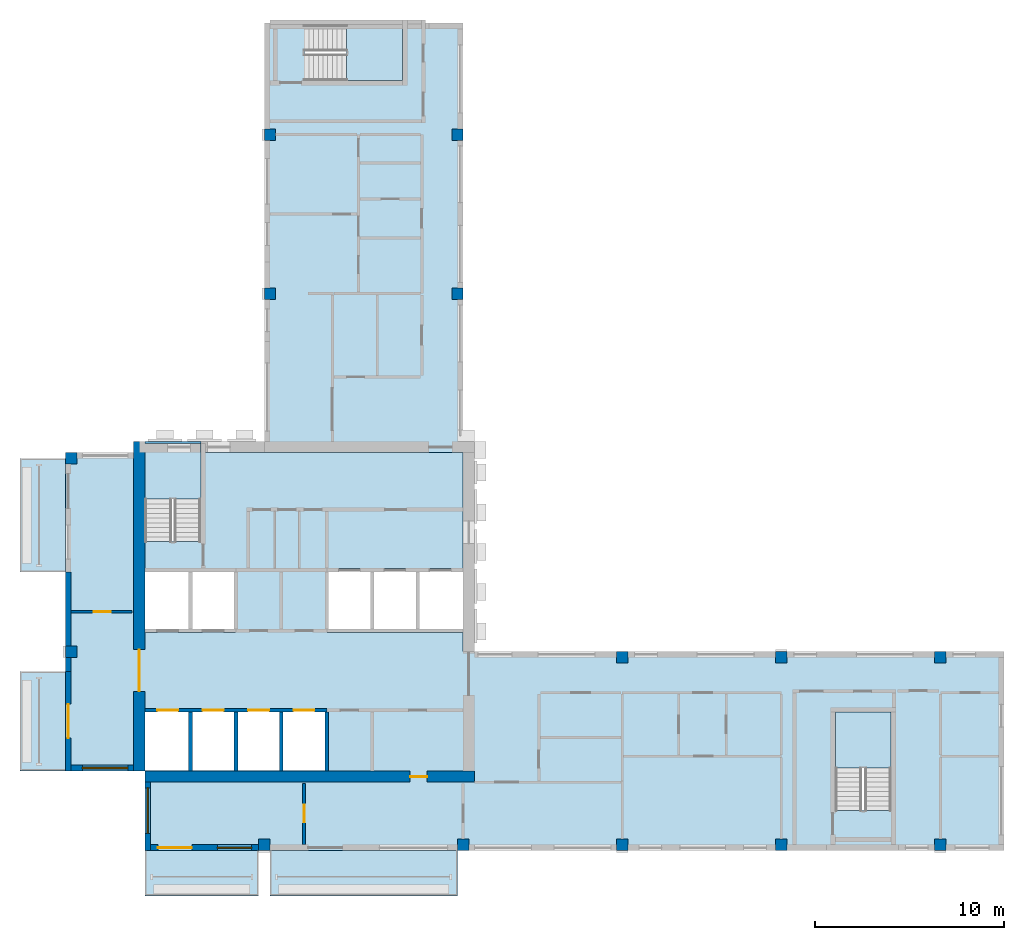
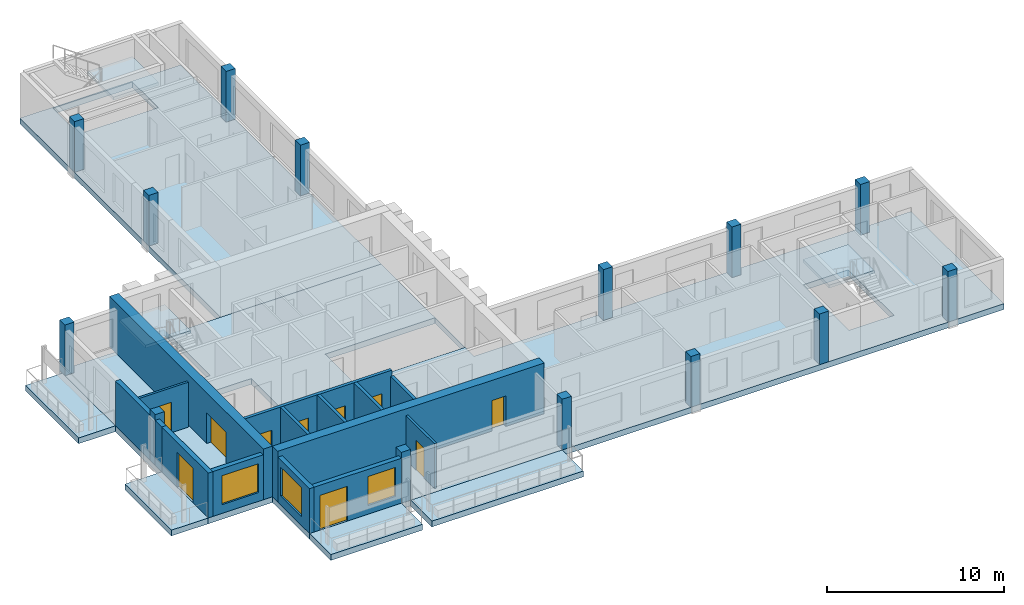
# One storey, part 1 of 10: 15 walls, 14 columns, 10 doors, 10 slabs, 3 windows, 13 openings, 3 elements without a shape of their own.
"""IFC4 building model written with IfcOpenShell, lengths in metres."""

from ifc_helpers import new_model, si_unit, direction, frame, frame_2d, origin, origin_2d, place, context, subcontext, project, spatial, polyline, rectangle, outline, extrude, source, transform, mapped, material, layer, layer_set, material_profile, profile_set, type_object, element, fill, aggregate, save


model = new_model("IFC4")

# Units and contexts
model_context = context("Model", 3, precision=1e-05, world=origin(), true_north=direction((0.0, 1.0)))
body_context = subcontext(model_context, "Body", "Model", "MODEL_VIEW")
ifc_project = project(units=[si_unit("LENGTHUNIT", "METRE"), si_unit("AREAUNIT", "SQUARE_METRE"), si_unit("VOLUMEUNIT", "CUBIC_METRE"), si_unit("PLANEANGLEUNIT", "RADIAN"), si_unit("MASSUNIT", "GRAM", prefix="KILO")], contexts=[model_context])

# Site, building, storey
site_placement = place(None, origin())
site = spatial("IfcSite", under=ifc_project, at=site_placement, CompositionType="ELEMENT")
building_placement = place(site_placement, origin())
building = spatial("IfcBuilding", under=site, at=building_placement, Name="Aurelian Terraces", CompositionType="ELEMENT")
storey_placement = place(building_placement, frame((0.0, 0.0, 361.5)))
storey = spatial("IfcBuildingStorey", under=building, at=storey_placement, Name="L86", CompositionType="ELEMENT", Elevation=361.5)

# Columns
ifc_material_1 = material(Name="Concrete fc' 55 MPa", Category="concrete")
ifc_material_profile = material_profile(ifc_material_1, rectangle(XDim=0.6, YDim=0.6, at=origin_2d()))
ifc_profile_set = profile_set([ifc_material_profile], Name="Concrete fc' 55 MPa")
column_type = type_object("IfcColumnType", Name="RC COLUMN 600X600 FC55", PredefinedType="COLUMN", material=ifc_profile_set)
shared_shape_1 = source(origin(), body_context, "Body", "SweptSolid", [
    extrude(rectangle(XDim=0.6, YDim=0.6, at=origin_2d()), origin(), (0.0, 0.0, 1.0), 3.5),
])
for number, where, z_axis, x_axis, name in (
    (1, (10.5, 0.3, 0.0), (0.0, 0.0, 1.0), (1.0, 0.0, 0.0), "Column 2/A L86"),
    (2, (21.0, 0.3, 0.0), (0.0, 0.0, 1.0), (1.0, 0.0, 0.0), "Column 3/A L86"),
    (3, (29.4, 0.3, 0.0), (0.0, 0.0, 1.0), (1.0, 0.0, 0.0), "Column 4/A L86"),
    (4, (37.8, 0.3, 0.0), (0.0, 0.0, 1.0), (1.0, 0.0, 0.0), "Column 5/A L86"),
    (5, (46.2, 0.3, 0.0), (0.0, 0.0, 1.0), (1.0, 0.0, 0.0), "Column 6/A L86"),
    (6, (0.3, 10.5, 0.0), (0.0, 0.0, 1.0), (1.0, 0.0, 0.0), "Column 1/B L86"),
    (7, (29.4, 10.2, 0.0), (0.0, 0.0, 1.0), (1.0, 0.0, 0.0), "Column 4/B L86"),
    (8, (37.8, 10.2, 0.0), (0.0, 0.0, 1.0), (1.0, 0.0, 0.0), "Column 5/B L86"),
    (9, (46.2, 10.2, 0.0), (0.0, 0.0, 1.0), (1.0, 0.0, 0.0), "Column 6/B L86"),
    (10, (0.3, 20.7, 0.0), (0.0, 0.0, 1.0), (1.0, 0.0, 0.0), "Column 1/C L86"),
    (11, (10.8, 29.4, 0.0), (0.0, 0.0, 1.0), (1.0, 0.0, 0.0), "Column 2/D L86"),
    (12, (20.7, 29.4, 0.0), (0.0, 0.0, 1.0), (1.0, 0.0, 0.0), "Column 3/D L86"),
    (13, (10.8, 37.8, 0.0), (0.0, 0.0, 1.0), (1.0, 0.0, 0.0), "Column 2/E L86"),
    (14, (20.7, 37.8, 0.0), (0.0, 0.0, 1.0), (1.0, 0.0, 0.0), "Column 3/E L86"),
):
    element("IfcColumn", number, at=place(storey_placement, frame(where, z_axis=z_axis, x_axis=x_axis)), inside=storey, type_object=column_type, Name=name, PredefinedType="COLUMN", context=body_context, shape_type="MappedRepresentation", body=[
        mapped(shared_shape_1, transform((0.0, 0.0, 0.0), scale=1.0)),
    ])

# Slabs
ifc_material_2 = material(Name="Concrete fc' 40 MPa", Category="concrete")
ifc_layer_1 = layer(ifc_material_2, 0.4)
ifc_layer_set_1 = layer_set([ifc_layer_1], Name="PT FLAT PLATE 400")
slab_type_1 = type_object("IfcSlabType", Name="PT FLAT PLATE 400", PredefinedType="FLOOR", material=ifc_layer_set_1)
shared_shape_2 = source(origin(), body_context, "Body", "SweptSolid", [
    extrude(outline(polyline([(10.5, 43.68), (14.7, 43.68), (16.8, 43.68), (21.0, 43.68), (21.0, 21.0), (10.5, 21.0), (10.5, 43.68)]), holes=[polyline([(17.79, 43.59), (12.61, 43.59), (12.61, 40.66), (17.79, 40.66), (17.79, 43.59)])]), origin(), (0.0, 0.0, 1.0), 0.4),
])
slab_1_placement = place(storey_placement, frame((0.0, 0.0, -0.4)))
element("IfcSlab", 15, at=slab_1_placement, inside=storey, type_object=slab_type_1, Name="Floor slab W L86", PredefinedType="FLOOR", context=body_context, shape_type="MappedRepresentation", body=[
    mapped(shared_shape_2, transform((0.0, 0.0, 0.0), scale=1.0)),
])
shared_shape_3 = source(origin(), body_context, "Body", "SweptSolid", [
    extrude(outline(polyline([(4.2, 21.0), (4.2, 21.6), (7.15, 21.6), (7.15, 21.0), (7.14, 21.0), (7.14, 21.49), (4.21, 21.49), (4.21, 21.0), (4.2, 21.0)])), origin(), (0.0, 0.0, 1.0), 0.4),
])
slab_2_placement = place(storey_placement, frame((0.0, 0.0, -0.4)))
element("IfcSlab", 16, at=slab_2_placement, inside=storey, type_object=slab_type_1, Name="Floor slab W2 L86", PredefinedType="FLOOR", context=body_context, shape_type="MappedRepresentation", body=[
    mapped(shared_shape_3, transform((0.0, 0.0, 0.0), scale=1.0)),
])
shared_shape_4 = source(origin(), body_context, "Body", "SweptSolid", [
    extrude(outline(polyline([(21.0, 0.0), (4.2, 0.0), (4.2, 4.2), (0.0, 4.2), (0.0, 10.5), (0.0, 21.0), (4.21, 21.0), (4.21, 16.31), (7.14, 16.31), (7.14, 21.0), (21.0, 21.0), (21.0, 10.5), (49.56, 10.5), (49.56, 6.3), (49.56, 4.2), (49.56, 0.0), (21.0, 0.0)]), holes=[polyline([(40.66, 2.11), (43.59, 2.11), (43.59, 7.29), (40.66, 7.29), (40.66, 2.11)]), polyline([(13.81, 14.89), (13.81, 11.51), (20.99, 11.51), (20.99, 14.89), (13.81, 14.89)]), polyline([(4.21, 7.49), (4.21, 4.21), (13.79, 4.21), (13.79, 7.49), (4.21, 7.49)]), polyline([(8.99, 11.51), (8.99, 14.89), (4.21, 14.89), (4.21, 11.51), (8.99, 11.51)])]), origin(), (0.0, 0.0, 1.0), 0.4),
])
slab_3_placement = place(storey_placement, frame((0.0, 0.0, -0.4)))
element("IfcSlab", 17, at=slab_3_placement, inside=storey, type_object=slab_type_1, Name="Floor slab S L86", PredefinedType="FLOOR", context=body_context, shape_type="MappedRepresentation", body=[
    mapped(shared_shape_4, transform((0.0, 0.0, 0.0), scale=1.0)),
])
ifc_layer_2 = layer(ifc_material_2, 0.4)
ifc_layer_set_2 = layer_set([ifc_layer_2], Name="Balcony slab 400")
slab_type_2 = type_object("IfcSlabType", Name="Balcony slab 400", PredefinedType="NOTDEFINED", material=ifc_layer_set_2)
shared_shape_5 = source(origin(), body_context, "Body", "SweptSolid", [
    extrude(outline(polyline([(0.0, 9.45), (0.0, 4.2), (-2.4, 4.2), (-2.4, 9.45), (0.0, 9.45)])), origin(), (0.0, 0.0, 1.0), 0.4),
])
slab_4_placement = place(storey_placement, frame((0.0, 0.0, -0.4)))
element("IfcSlab", 18, at=slab_4_placement, inside=storey, type_object=slab_type_2, Name="Balcony slab L86 F12.24", PredefinedType="NOTDEFINED", context=body_context, shape_type="MappedRepresentation", body=[
    mapped(shared_shape_5, transform((0.0, 0.0, 0.0), scale=1.0)),
])
shared_shape_6 = source(origin(), body_context, "Body", "SweptSolid", [
    extrude(outline(polyline([(4.2, 0.0), (10.2, 0.0), (10.2, -2.4), (4.2, -2.4), (4.2, 0.0)])), origin(), (0.0, 0.0, 1.0), 0.4),
])
slab_5_placement = place(storey_placement, frame((0.0, 0.0, -0.4)))
element("IfcSlab", 19, at=slab_5_placement, inside=storey, type_object=slab_type_2, Name="Balcony slab L86 F01.1", PredefinedType="NOTDEFINED", context=body_context, shape_type="MappedRepresentation", body=[
    mapped(shared_shape_6, transform((0.0, 0.0, 0.0), scale=1.0)),
])
shared_shape_7 = source(origin(), body_context, "Body", "SweptSolid", [
    extrude(outline(polyline([(10.8, 0.0), (20.7, 0.0), (20.7, -2.4), (10.8, -2.4), (10.8, 0.0)])), origin(), (0.0, 0.0, 1.0), 0.4),
])
slab_6_placement = place(storey_placement, frame((0.0, 0.0, -0.4)))
element("IfcSlab", 20, at=slab_6_placement, inside=storey, type_object=slab_type_2, Name="Balcony slab L86 F01.2", PredefinedType="NOTDEFINED", context=body_context, shape_type="MappedRepresentation", body=[
    mapped(shared_shape_7, transform((0.0, 0.0, 0.0), scale=1.0)),
])
shared_shape_8 = source(origin(), body_context, "Body", "SweptSolid", [
    extrude(outline(polyline([(0.0, 20.7), (0.0, 14.7), (-2.4, 14.7), (-2.4, 20.7), (0.0, 20.7)])), origin(), (0.0, 0.0, 1.0), 0.4),
])
slab_7_placement = place(storey_placement, frame((0.0, 0.0, -0.4)))
element("IfcSlab", 21, at=slab_7_placement, inside=storey, type_object=slab_type_2, Name="Balcony slab L86 F12.22", PredefinedType="NOTDEFINED", context=body_context, shape_type="MappedRepresentation", body=[
    mapped(shared_shape_8, transform((0.0, 0.0, 0.0), scale=1.0)),
])

# Stair, slab
stair_type = type_object("IfcStairType", Name="Stair 1400", PredefinedType="HALF_TURN_STAIR", material=ifc_material_2)
stair_1_placement = place(storey_placement, origin())
stair_1 = element("IfcStair", 22, at=stair_1_placement, inside=storey, type_object=stair_type, Name="L86 S1", PredefinedType="HALF_TURN_STAIR")
ifc_layer_3 = layer(ifc_material_2, 0.2)
ifc_layer_set_3 = layer_set([ifc_layer_3], Name="Stair landing 200")
slab_type_3 = type_object("IfcSlabType", Name="Stair landing 200", PredefinedType="LANDING", material=ifc_layer_set_3)
shared_shape_9 = source(origin(), body_context, "Body", "SweptSolid", [
    extrude(outline(polyline([(7.15, 18.55), (7.15, 21.5), (4.2, 21.5), (4.2, 18.55), (7.15, 18.55)])), origin(), (0.0, 0.0, 1.0), 0.2),
])
slab_8_placement = place(storey_placement, frame((0.0, 0.0, 1.55)))
slab_8 = element("IfcSlab", 23, at=slab_8_placement, type_object=slab_type_3, Name="S1 landing 1", PredefinedType="LANDING", context=body_context, shape_type="MappedRepresentation", body=[
    mapped(shared_shape_9, transform((0.0, 0.0, 0.0), scale=1.0)),
])
aggregate(stair_1, [slab_8])

stair_2_placement = place(storey_placement, origin())
stair_2 = element("IfcStair", 24, at=stair_2_placement, inside=storey, type_object=stair_type, Name="L86 S2", PredefinedType="HALF_TURN_STAIR")
shared_shape_10 = source(origin(), body_context, "Body", "SweptSolid", [
    extrude(outline(polyline([(43.6, 4.35), (43.6, 7.3), (40.65, 7.3), (40.65, 4.35), (43.6, 4.35)])), origin(), (0.0, 0.0, 1.0), 0.2),
])
slab_9_placement = place(storey_placement, frame((0.0, 0.0, 1.55)))
slab_9 = element("IfcSlab", 25, at=slab_9_placement, type_object=slab_type_3, Name="S2 landing 1", PredefinedType="LANDING", context=body_context, shape_type="MappedRepresentation", body=[
    mapped(shared_shape_10, transform((0.0, 0.0, 0.0), scale=1.0)),
])
aggregate(stair_2, [slab_9])

stair_3_placement = place(storey_placement, origin())
stair_3 = element("IfcStair", 26, at=stair_3_placement, inside=storey, type_object=stair_type, Name="L86 S3U", PredefinedType="HALF_TURN_STAIR")
shared_shape_11 = source(origin(), body_context, "Body", "SweptSolid", [
    extrude(outline(polyline([(14.85, 40.65), (17.8, 40.65), (17.8, 43.6), (14.85, 43.6), (14.85, 40.65)])), origin(), (0.0, 0.0, 1.0), 0.2),
])
slab_10_placement = place(storey_placement, frame((0.0, 0.0, 1.55)))
slab_10 = element("IfcSlab", 27, at=slab_10_placement, type_object=slab_type_3, Name="S3U landing 1", PredefinedType="LANDING", context=body_context, shape_type="MappedRepresentation", body=[
    mapped(shared_shape_11, transform((0.0, 0.0, 0.0), scale=1.0)),
])
aggregate(stair_3, [slab_10])

# Wall, opening, door
ifc_layer_4 = layer(ifc_material_1, 0.6)
ifc_layer_set_4 = layer_set([ifc_layer_4], Name="CORE WALL 600 FC55")
wall_type_1 = type_object("IfcWallType", Name="CORE WALL 600 FC55", PredefinedType="SHEAR", material=ifc_layer_set_4)
shared_shape_12 = source(origin(), body_context, "Body", "SweptSolid", [
    extrude(rectangle(XDim=17.4, YDim=0.6, at=frame_2d((8.7, 0.0))), origin(), (0.0, 0.0, 1.0), 3.5),
])
wall_1_placement = place(storey_placement, frame((3.9, 4.2, 0.0), z_axis=(0.0, 0.0, 1.0), x_axis=(0.0, 1.0, 0.0)))
wall_1 = element("IfcWall", 28, at=wall_1_placement, inside=storey, type_object=wall_type_1, Name="Core wall W L86", PredefinedType="SHEAR", context=body_context, shape_type="MappedRepresentation", body=[
    mapped(shared_shape_12, transform((0.0, 0.0, 0.0), scale=1.0)),
])
shared_shape_13 = source(origin(), body_context, "Body", "SweptSolid", [
    extrude(rectangle(XDim=2.2, YDim=2.1, at=frame_2d((1.1, 1.05))), frame((0.0, 0.31, 0.0), z_axis=(0.0, -1.0, 0.0), x_axis=(1.0, 0.0, 0.0)), (0.0, 0.0, 1.0), 0.62),
])
opening_1_placement = place(wall_1_placement, frame((4.2, 0.0, 0.0)))
opening_1 = element("IfcOpeningElement", 29, at=opening_1_placement, cuts=wall_1, Name="Opening 68925", PredefinedType="OPENING", context=body_context, shape_type="MappedRepresentation", body=[
    mapped(shared_shape_13, transform((0.0, 0.0, 0.0), scale=1.0)),
])
ifc_material_3 = material(Name="Steel door leaf", Category="steel")
door_type_1 = type_object("IfcDoorType", Name="Core double door 2200x2100", OperationType="DOUBLE_DOOR_SINGLE_SWING", PredefinedType="DOOR", material=ifc_material_3)
shared_shape_14 = source(origin(), body_context, "Body", "SweptSolid", [
    extrude(rectangle(XDim=2.2, YDim=2.1, at=frame_2d((1.1, 1.05))), frame((0.0, 0.025, 0.0), z_axis=(0.0, -1.0, 0.0), x_axis=(1.0, 0.0, 0.0)), (0.0, 0.0, 1.0), 0.05),
])
door_1_placement = place(opening_1_placement, origin())
door_1 = element("IfcDoor", 30, at=door_1_placement, inside=storey, type_object=door_type_1, Name="Core door 68925", OperationType="DOUBLE_DOOR_SINGLE_SWING", OverallHeight=2.1, OverallWidth=2.2, PredefinedType="DOOR", context=body_context, shape_type="MappedRepresentation", body=[
    mapped(shared_shape_14, transform((0.0, 0.0, 0.0), scale=1.0)),
])
fill(opening_1, door_1)

wall_2_placement = place(storey_placement, frame((4.2, 3.9, 0.0), z_axis=(0.0, 0.0, 1.0), x_axis=(1.0, 0.0, 0.0)))
wall_2 = element("IfcWall", 31, at=wall_2_placement, inside=storey, type_object=wall_type_1, Name="Core wall S L86", PredefinedType="SHEAR", context=body_context, shape_type="MappedRepresentation", body=[
    mapped(shared_shape_12, transform((0.0, 0.0, 0.0), scale=1.0)),
])
shared_shape_15 = source(origin(), body_context, "Body", "SweptSolid", [
    extrude(rectangle(XDim=0.9, YDim=2.1, at=frame_2d((0.45, 1.05))), frame((0.0, 0.31, 0.0), z_axis=(0.0, -1.0, 0.0), x_axis=(1.0, 0.0, 0.0)), (0.0, 0.0, 1.0), 0.62),
])
opening_2_placement = place(wall_2_placement, frame((14.0, 0.0, 0.0)))
opening_2 = element("IfcOpeningElement", 32, at=opening_2_placement, cuts=wall_2, Name="Opening 68927", PredefinedType="OPENING", context=body_context, shape_type="MappedRepresentation", body=[
    mapped(shared_shape_15, transform((0.0, 0.0, 0.0), scale=1.0)),
])
door_type_2 = type_object("IfcDoorType", Name="Core service door 900x2100", OperationType="SINGLE_SWING_LEFT", PredefinedType="DOOR", material=ifc_material_3)
shared_shape_16 = source(origin(), body_context, "Body", "SweptSolid", [
    extrude(rectangle(XDim=0.9, YDim=2.1, at=frame_2d((0.45, 1.05))), frame((0.0, 0.025, 0.0), z_axis=(0.0, -1.0, 0.0), x_axis=(1.0, 0.0, 0.0)), (0.0, 0.0, 1.0), 0.05),
])
door_2_placement = place(opening_2_placement, origin())
door_2 = element("IfcDoor", 33, at=door_2_placement, inside=storey, type_object=door_type_2, Name="Core door 68927", OperationType="SINGLE_SWING_LEFT", OverallHeight=2.1, OverallWidth=0.9, PredefinedType="DOOR", context=body_context, shape_type="MappedRepresentation", body=[
    mapped(shared_shape_16, transform((0.0, 0.0, 0.0), scale=1.0)),
])
fill(opening_2, door_2)

# Wall, opening, window
ifc_material_4 = material(Name="Terracotta rainscreen cladding", Category="masonry")
ifc_layer_5 = layer(ifc_material_4, 0.3)
ifc_layer_set_5 = layer_set([ifc_layer_5], Name="EW-300")
wall_type_2 = type_object("IfcWallType", Name="EW-300", PredefinedType="STANDARD", material=ifc_layer_set_5)
shared_shape_17 = source(origin(), body_context, "Body", "SweptSolid", [
    extrude(rectangle(XDim=3.6, YDim=0.3, at=frame_2d((1.8, 0.0))), origin(), (0.0, 0.0, 1.0), 3.1),
])
wall_3_placement = place(storey_placement, frame((0.0, 4.35, 0.0), z_axis=(0.0, 0.0, 1.0), x_axis=(1.0, 0.0, 0.0)))
wall_3 = element("IfcWall", 34, at=wall_3_placement, inside=storey, type_object=wall_type_2, Name="External wall L86 F13.25", PredefinedType="STANDARD", context=body_context, shape_type="MappedRepresentation", body=[
    mapped(shared_shape_17, transform((0.0, 0.0, 0.0), scale=1.0)),
])
shared_shape_18 = source(origin(), body_context, "Body", "SweptSolid", [
    extrude(rectangle(XDim=2.4, YDim=2.0, at=frame_2d((1.2, 1.0))), frame((0.0, 0.16, 0.0), z_axis=(0.0, -1.0, 0.0), x_axis=(1.0, 0.0, 0.0)), (0.0, 0.0, 1.0), 0.32),
])
opening_3_placement = place(wall_3_placement, frame((0.9, 0.0, 0.6)))
opening_3 = element("IfcOpeningElement", 35, at=opening_3_placement, cuts=wall_3, Name="Opening W2420", PredefinedType="OPENING", context=body_context, shape_type="MappedRepresentation", body=[
    mapped(shared_shape_18, transform((0.0, 0.0, 0.0), scale=1.0)),
])
ifc_material_5 = material(Name="Clear glazing", Category="glass")
window_type_1 = type_object("IfcWindowType", Name="W-2400x2000", PartitioningType="SINGLE_PANEL", PredefinedType="WINDOW", material=ifc_material_5)
shared_shape_19 = source(origin(), body_context, "Body", "SweptSolid", [
    extrude(rectangle(XDim=2.4, YDim=2.0, at=frame_2d((1.2, 1.0))), frame((0.0, 0.03, 0.0), z_axis=(0.0, -1.0, 0.0), x_axis=(1.0, 0.0, 0.0)), (0.0, 0.0, 1.0), 0.06),
])
window_1_placement = place(opening_3_placement, origin())
window_1 = element("IfcWindow", 36, at=window_1_placement, inside=storey, type_object=window_type_1, Name="Window L86 L86-F13-25-0", OverallHeight=2.0, OverallWidth=2.4, PartitioningType="SINGLE_PANEL", PredefinedType="WINDOW", context=body_context, shape_type="MappedRepresentation", body=[
    mapped(shared_shape_19, transform((0.0, 0.0, 0.0), scale=1.0)),
])
fill(opening_3, window_1)

wall_4_placement = place(storey_placement, frame((4.35, 3.6, 0.0), z_axis=(0.0, 0.0, 1.0), x_axis=(0.0, -1.0, 0.0)))
wall_4 = element("IfcWall", 37, at=wall_4_placement, inside=storey, type_object=wall_type_2, Name="External wall L86 F14.26", PredefinedType="STANDARD", context=body_context, shape_type="MappedRepresentation", body=[
    mapped(shared_shape_17, transform((0.0, 0.0, 0.0), scale=1.0)),
])
opening_4_placement = place(wall_4_placement, frame((0.3, 0.0, 0.6)))
opening_4 = element("IfcOpeningElement", 38, at=opening_4_placement, cuts=wall_4, Name="Opening W2420", PredefinedType="OPENING", context=body_context, shape_type="MappedRepresentation", body=[
    mapped(shared_shape_18, transform((0.0, 0.0, 0.0), scale=1.0)),
])
window_2_placement = place(opening_4_placement, origin())
window_2 = element("IfcWindow", 39, at=window_2_placement, inside=storey, type_object=window_type_1, Name="Window L86 L86-F14-26-0", OverallHeight=2.0, OverallWidth=2.4, PartitioningType="SINGLE_PANEL", PredefinedType="WINDOW", context=body_context, shape_type="MappedRepresentation", body=[
    mapped(shared_shape_19, transform((0.0, 0.0, 0.0), scale=1.0)),
])
fill(opening_4, window_2)

# Wall, opening, door
shared_shape_20 = source(origin(), body_context, "Body", "SweptSolid", [
    extrude(rectangle(XDim=5.25, YDim=0.3, at=frame_2d((2.625, 0.0))), origin(), (0.0, 0.0, 1.0), 3.1),
])
wall_5_placement = place(storey_placement, frame((0.15, 9.45, 0.0), z_axis=(0.0, 0.0, 1.0), x_axis=(0.0, -1.0, 0.0)))
wall_5 = element("IfcWall", 40, at=wall_5_placement, inside=storey, type_object=wall_type_2, Name="External wall L86 F12.24", PredefinedType="STANDARD", context=body_context, shape_type="MappedRepresentation", body=[
    mapped(shared_shape_20, transform((0.0, 0.0, 0.0), scale=1.0)),
])
shared_shape_21 = source(origin(), body_context, "Body", "SweptSolid", [
    extrude(rectangle(XDim=1.8, YDim=2.4, at=frame_2d((0.9, 1.2))), frame((0.0, 0.16, 0.0), z_axis=(0.0, -1.0, 0.0), x_axis=(1.0, 0.0, 0.0)), (0.0, 0.0, 1.0), 0.32),
])
opening_5_placement = place(wall_5_placement, frame((1.725, 0.0, 0.0)))
opening_5 = element("IfcOpeningElement", 41, at=opening_5_placement, cuts=wall_5, Name="Opening 88604", PredefinedType="OPENING", context=body_context, shape_type="MappedRepresentation", body=[
    mapped(shared_shape_21, transform((0.0, 0.0, 0.0), scale=1.0)),
])
door_type_3 = type_object("IfcDoorType", Name="BD-1800x2400", OperationType="SLIDING_TO_LEFT", PredefinedType="DOOR", material=ifc_material_5)
shared_shape_22 = source(origin(), body_context, "Body", "SweptSolid", [
    extrude(rectangle(XDim=1.8, YDim=2.4, at=frame_2d((0.9, 1.2))), frame((0.0, 0.025, 0.0), z_axis=(0.0, -1.0, 0.0), x_axis=(1.0, 0.0, 0.0)), (0.0, 0.0, 1.0), 0.05),
])
door_3_placement = place(opening_5_placement, origin())
door_3 = element("IfcDoor", 42, at=door_3_placement, inside=storey, type_object=door_type_3, Name="Balcony door L86 F12.24", OperationType="SLIDING_TO_LEFT", OverallHeight=2.4, OverallWidth=1.8, PredefinedType="DOOR", context=body_context, shape_type="MappedRepresentation", body=[
    mapped(shared_shape_22, transform((0.0, 0.0, 0.0), scale=1.0)),
])
fill(opening_5, door_3)

# Wall, openings, door, window
shared_shape_23 = source(origin(), body_context, "Body", "SweptSolid", [
    extrude(rectangle(XDim=6.0, YDim=0.3, at=frame_2d((3.0, 0.0))), origin(), (0.0, 0.0, 1.0), 3.1),
])
wall_6_placement = place(storey_placement, frame((4.2, 0.15, 0.0), z_axis=(0.0, 0.0, 1.0), x_axis=(1.0, 0.0, 0.0)))
wall_6 = element("IfcWall", 43, at=wall_6_placement, inside=storey, type_object=wall_type_2, Name="External wall L86 F01.1", PredefinedType="STANDARD", context=body_context, shape_type="MappedRepresentation", body=[
    mapped(shared_shape_23, transform((0.0, 0.0, 0.0), scale=1.0)),
])
opening_6_placement = place(wall_6_placement, frame((0.675, 0.0, 0.0)))
opening_6 = element("IfcOpeningElement", 44, at=opening_6_placement, cuts=wall_6, Name="Opening 88601", PredefinedType="OPENING", context=body_context, shape_type="MappedRepresentation", body=[
    mapped(shared_shape_21, transform((0.0, 0.0, 0.0), scale=1.0)),
])
shared_shape_24 = source(origin(), body_context, "Body", "SweptSolid", [
    extrude(rectangle(XDim=1.8, YDim=2.0, at=frame_2d((0.9, 1.0))), frame((0.0, 0.16, 0.0), z_axis=(0.0, -1.0, 0.0), x_axis=(1.0, 0.0, 0.0)), (0.0, 0.0, 1.0), 0.32),
])
opening_7_placement = place(wall_6_placement, frame((3.825, 0.0, 0.6)))
opening_7 = element("IfcOpeningElement", 45, at=opening_7_placement, cuts=wall_6, Name="Opening W1820", PredefinedType="OPENING", context=body_context, shape_type="MappedRepresentation", body=[
    mapped(shared_shape_24, transform((0.0, 0.0, 0.0), scale=1.0)),
])
door_4_placement = place(opening_6_placement, origin())
door_4 = element("IfcDoor", 46, at=door_4_placement, inside=storey, type_object=door_type_3, Name="Balcony door L86 F01.1", OperationType="SLIDING_TO_LEFT", OverallHeight=2.4, OverallWidth=1.8, PredefinedType="DOOR", context=body_context, shape_type="MappedRepresentation", body=[
    mapped(shared_shape_22, transform((0.0, 0.0, 0.0), scale=1.0)),
])
fill(opening_6, door_4)
window_type_2 = type_object("IfcWindowType", Name="W-1800x2000", PartitioningType="SINGLE_PANEL", PredefinedType="WINDOW", material=ifc_material_5)
shared_shape_25 = source(origin(), body_context, "Body", "SweptSolid", [
    extrude(rectangle(XDim=1.8, YDim=2.0, at=frame_2d((0.9, 1.0))), frame((0.0, 0.03, 0.0), z_axis=(0.0, -1.0, 0.0), x_axis=(1.0, 0.0, 0.0)), (0.0, 0.0, 1.0), 0.06),
])
window_3_placement = place(opening_7_placement, origin())
window_3 = element("IfcWindow", 47, at=window_3_placement, inside=storey, type_object=window_type_2, Name="Window L86 L86-F01-01-1", OverallHeight=2.0, OverallWidth=1.8, PartitioningType="SINGLE_PANEL", PredefinedType="WINDOW", context=body_context, shape_type="MappedRepresentation", body=[
    mapped(shared_shape_25, transform((0.0, 0.0, 0.0), scale=1.0)),
])
fill(opening_7, window_3)

# Walls
shared_shape_26 = source(origin(), body_context, "Body", "SweptSolid", [
    extrude(rectangle(XDim=3.9, YDim=0.3, at=frame_2d((1.95, 0.0))), origin(), (0.0, 0.0, 1.0), 3.1),
])
wall_7_placement = place(storey_placement, frame((0.15, 14.7, 0.0), z_axis=(0.0, 0.0, 1.0), x_axis=(0.0, -1.0, 0.0)))
element("IfcWall", 48, at=wall_7_placement, inside=storey, type_object=wall_type_2, Name="External wall L86 F12.23", PredefinedType="STANDARD", context=body_context, shape_type="MappedRepresentation", body=[
    mapped(shared_shape_26, transform((0.0, 0.0, 0.0), scale=1.0)),
])
shared_shape_27 = source(origin(), body_context, "Body", "SweptSolid", [
    extrude(rectangle(XDim=0.75, YDim=0.3, at=frame_2d((0.375, 0.0))), origin(), (0.0, 0.0, 1.0), 3.1),
])
wall_8_placement = place(storey_placement, frame((0.15, 10.2, 0.0), z_axis=(0.0, 0.0, 1.0), x_axis=(0.0, -1.0, 0.0)))
element("IfcWall", 49, at=wall_8_placement, inside=storey, type_object=wall_type_2, Name="External wall L86 F12.23", PredefinedType="STANDARD", context=body_context, shape_type="MappedRepresentation", body=[
    mapped(shared_shape_27, transform((0.0, 0.0, 0.0), scale=1.0)),
])
ifc_layer_6 = layer(ifc_material_2, 0.2)
ifc_layer_set_6 = layer_set([ifc_layer_6], Name="Lift shaft wall 200")
wall_type_3 = type_object("IfcWallType", Name="Lift shaft wall 200", PredefinedType="SOLIDWALL", material=ifc_layer_set_6)
shared_shape_28 = source(origin(), body_context, "Body", "SweptSolid", [
    extrude(rectangle(XDim=3.1, YDim=0.2, at=frame_2d((1.55, 0.0))), origin(), (0.0, 0.0, 1.0), 3.5),
])
for number, where, z_axis, x_axis, name in (
    (50, (6.6, 4.2, 0.0), (0.0, 0.0, 1.0), (0.0, 1.0, 0.0), "L86 core wall CD-A1"),
    (51, (9.0, 4.2, 0.0), (0.0, 0.0, 1.0), (0.0, 1.0, 0.0), "L86 core wall CD-A2"),
    (52, (11.4, 4.2, 0.0), (0.0, 0.0, 1.0), (0.0, 1.0, 0.0), "L86 core wall CD-A3"),
):
    element("IfcWall", number, at=place(storey_placement, frame(where, z_axis=z_axis, x_axis=x_axis)), inside=storey, type_object=wall_type_3, Name=name, PredefinedType="SOLIDWALL", context=body_context, shape_type="MappedRepresentation", body=[
        mapped(shared_shape_28, transform((0.0, 0.0, 0.0), scale=1.0)),
    ])
shared_shape_29 = source(origin(), body_context, "Body", "SweptSolid", [
    extrude(rectangle(XDim=3.1, YDim=0.2, at=frame_2d((1.55, 0.0))), origin(), (0.0, 0.0, 1.0), 3.1),
])
wall_9_placement = place(storey_placement, frame((13.8, 4.2, 0.0), z_axis=(0.0, 0.0, 1.0), x_axis=(0.0, 1.0, 0.0)))
element("IfcWall", 53, at=wall_9_placement, inside=storey, type_object=wall_type_3, Name="L86 core wall CD-A4", PredefinedType="SOLIDWALL", context=body_context, shape_type="MappedRepresentation", body=[
    mapped(shared_shape_29, transform((0.0, 0.0, 0.0), scale=1.0)),
])

# Wall, openings, doors
shared_shape_30 = source(origin(), body_context, "Body", "SweptSolid", [
    extrude(rectangle(XDim=9.6, YDim=0.2, at=frame_2d((4.8, 0.0))), origin(), (0.0, 0.0, 1.0), 3.5),
])
wall_10_placement = place(storey_placement, frame((4.2, 7.4, 0.0), z_axis=(0.0, 0.0, 1.0), x_axis=(1.0, 0.0, 0.0)))
wall_10 = element("IfcWall", 54, at=wall_10_placement, inside=storey, type_object=wall_type_3, Name="L86 core wall CF-AF1", PredefinedType="SOLIDWALL", context=body_context, shape_type="MappedRepresentation", body=[
    mapped(shared_shape_30, transform((0.0, 0.0, 0.0), scale=1.0)),
])
shared_shape_31 = source(origin(), body_context, "Body", "SweptSolid", [
    extrude(rectangle(XDim=1.1, YDim=2.1, at=frame_2d((0.55, 1.05))), frame((0.0, 0.11, 0.0), z_axis=(0.0, -1.0, 0.0), x_axis=(1.0, 0.0, 0.0)), (0.0, 0.0, 1.0), 0.22),
])
opening_8_placement = place(wall_10_placement, frame((0.65, 0.0, 0.0)))
opening_8 = element("IfcOpeningElement", 55, at=opening_8_placement, cuts=wall_10, Name="Opening 68900", PredefinedType="OPENING", context=body_context, shape_type="MappedRepresentation", body=[
    mapped(shared_shape_31, transform((0.0, 0.0, 0.0), scale=1.0)),
])
opening_9_placement = place(wall_10_placement, frame((3.05, 0.0, 0.0)))
opening_9 = element("IfcOpeningElement", 56, at=opening_9_placement, cuts=wall_10, Name="Opening 68901", PredefinedType="OPENING", context=body_context, shape_type="MappedRepresentation", body=[
    mapped(shared_shape_31, transform((0.0, 0.0, 0.0), scale=1.0)),
])
opening_10_placement = place(wall_10_placement, frame((5.45, 0.0, 0.0)))
opening_10 = element("IfcOpeningElement", 57, at=opening_10_placement, cuts=wall_10, Name="Opening 68902", PredefinedType="OPENING", context=body_context, shape_type="MappedRepresentation", body=[
    mapped(shared_shape_31, transform((0.0, 0.0, 0.0), scale=1.0)),
])
opening_11_placement = place(wall_10_placement, frame((7.85, 0.0, 0.0)))
opening_11 = element("IfcOpeningElement", 58, at=opening_11_placement, cuts=wall_10, Name="Opening 68903", PredefinedType="OPENING", context=body_context, shape_type="MappedRepresentation", body=[
    mapped(shared_shape_31, transform((0.0, 0.0, 0.0), scale=1.0)),
])
ifc_material_6 = material(Name="Stainless steel", Category="steel")
door_type_4 = type_object("IfcDoorType", Name="Lift landing door 1100x2100", OperationType="SLIDING_TO_LEFT", PredefinedType="DOOR", material=ifc_material_6)
shared_shape_32 = source(origin(), body_context, "Body", "SweptSolid", [
    extrude(rectangle(XDim=1.1, YDim=2.1, at=frame_2d((0.55, 1.05))), frame((0.0, 0.025, 0.0), z_axis=(0.0, -1.0, 0.0), x_axis=(1.0, 0.0, 0.0)), (0.0, 0.0, 1.0), 0.05),
])
door_5_placement = place(opening_8_placement, origin())
door_5 = element("IfcDoor", 59, at=door_5_placement, inside=storey, type_object=door_type_4, Name="Lift landing door LH1 L86", OperationType="SLIDING_TO_LEFT", OverallHeight=2.1, OverallWidth=1.1, PredefinedType="DOOR", context=body_context, shape_type="MappedRepresentation", body=[
    mapped(shared_shape_32, transform((0.0, 0.0, 0.0), scale=1.0)),
])
fill(opening_8, door_5)
door_6_placement = place(opening_9_placement, origin())
door_6 = element("IfcDoor", 60, at=door_6_placement, inside=storey, type_object=door_type_4, Name="Lift landing door LH2 L86", OperationType="SLIDING_TO_LEFT", OverallHeight=2.1, OverallWidth=1.1, PredefinedType="DOOR", context=body_context, shape_type="MappedRepresentation", body=[
    mapped(shared_shape_32, transform((0.0, 0.0, 0.0), scale=1.0)),
])
fill(opening_9, door_6)
door_7_placement = place(opening_10_placement, origin())
door_7 = element("IfcDoor", 61, at=door_7_placement, inside=storey, type_object=door_type_4, Name="Lift landing door LH3 L86", OperationType="SLIDING_TO_LEFT", OverallHeight=2.1, OverallWidth=1.1, PredefinedType="DOOR", context=body_context, shape_type="MappedRepresentation", body=[
    mapped(shared_shape_32, transform((0.0, 0.0, 0.0), scale=1.0)),
])
fill(opening_10, door_7)
door_8_placement = place(opening_11_placement, origin())
door_8 = element("IfcDoor", 62, at=door_8_placement, inside=storey, type_object=door_type_4, Name="Lift landing door LH4 L86", OperationType="SLIDING_TO_LEFT", OverallHeight=2.1, OverallWidth=1.1, PredefinedType="DOOR", context=body_context, shape_type="MappedRepresentation", body=[
    mapped(shared_shape_32, transform((0.0, 0.0, 0.0), scale=1.0)),
])
fill(opening_11, door_8)

# Wall, opening, door
ifc_material_7 = material(Name="Gypsum board on steel studs", Category="steel")
ifc_layer_7 = layer(ifc_material_7, 0.15)
ifc_layer_set_7 = layer_set([ifc_layer_7], Name="Partition 150")
wall_type_4 = type_object("IfcWallType", Name="Partition 150", PredefinedType="PARTITIONING", material=ifc_layer_set_7)
shared_shape_33 = source(origin(), body_context, "Body", "SweptSolid", [
    extrude(rectangle(XDim=3.225, YDim=0.15, at=frame_2d((1.6125, 0.0))), origin(), (0.0, 0.0, 1.0), 3.1),
])
wall_11_placement = place(storey_placement, frame((12.6, 3.525, 0.0), z_axis=(0.0, 0.0, 1.0), x_axis=(0.0, -1.0, 0.0)))
wall_11 = element("IfcWall", 63, at=wall_11_placement, inside=storey, type_object=wall_type_4, Name="Partition", PredefinedType="PARTITIONING", context=body_context, shape_type="MappedRepresentation", body=[
    mapped(shared_shape_33, transform((0.0, 0.0, 0.0), scale=1.0)),
])
shared_shape_34 = source(origin(), body_context, "Body", "SweptSolid", [
    extrude(rectangle(XDim=0.9, YDim=2.1, at=frame_2d((0.45, 1.05))), frame((0.0, 0.085, 0.0), z_axis=(0.0, -1.0, 0.0), x_axis=(1.0, 0.0, 0.0)), (0.0, 0.0, 1.0), 0.17),
])
opening_12_placement = place(wall_11_placement, frame((1.125, 0.0, 0.0)))
opening_12 = element("IfcOpeningElement", 64, at=opening_12_placement, cuts=wall_11, Name="Opening 786003", PredefinedType="OPENING", context=body_context, shape_type="MappedRepresentation", body=[
    mapped(shared_shape_34, transform((0.0, 0.0, 0.0), scale=1.0)),
])
ifc_material_8 = material(Name="Timber door leaf", Category="wood")
door_type_5 = type_object("IfcDoorType", Name="Room door 900x2100 right", OperationType="SINGLE_SWING_RIGHT", PredefinedType="DOOR", material=ifc_material_8)
door_9_placement = place(opening_12_placement, origin())
door_9 = element("IfcDoor", 65, at=door_9_placement, inside=storey, type_object=door_type_5, Name="Door 786003", OperationType="SINGLE_SWING_RIGHT", OverallHeight=2.1, OverallWidth=0.9, PredefinedType="DOOR", context=body_context, shape_type="MappedRepresentation", body=[
    mapped(shared_shape_16, transform((0.0, 0.0, 0.0), scale=1.0)),
])
fill(opening_12, door_9)

wall_12_placement = place(storey_placement, frame((0.3, 12.6, 0.0), z_axis=(0.0, 0.0, 1.0), x_axis=(1.0, 0.0, 0.0)))
wall_12 = element("IfcWall", 66, at=wall_12_placement, inside=storey, type_object=wall_type_4, Name="Partition", PredefinedType="PARTITIONING", context=body_context, shape_type="MappedRepresentation", body=[
    mapped(shared_shape_33, transform((0.0, 0.0, 0.0), scale=1.0)),
])
opening_13_placement = place(wall_12_placement, frame((1.2, 0.0, 0.0)))
opening_13 = element("IfcOpeningElement", 67, at=opening_13_placement, cuts=wall_12, Name="Opening 786014", PredefinedType="OPENING", context=body_context, shape_type="MappedRepresentation", body=[
    mapped(shared_shape_34, transform((0.0, 0.0, 0.0), scale=1.0)),
])
door_10_placement = place(opening_13_placement, origin())
door_10 = element("IfcDoor", 68, at=door_10_placement, inside=storey, type_object=door_type_5, Name="Door 786014", OperationType="SINGLE_SWING_RIGHT", OverallHeight=2.1, OverallWidth=0.9, PredefinedType="DOOR", context=body_context, shape_type="MappedRepresentation", body=[
    mapped(shared_shape_16, transform((0.0, 0.0, 0.0), scale=1.0)),
])
fill(opening_13, door_10)

save(model, "model.ifc")
